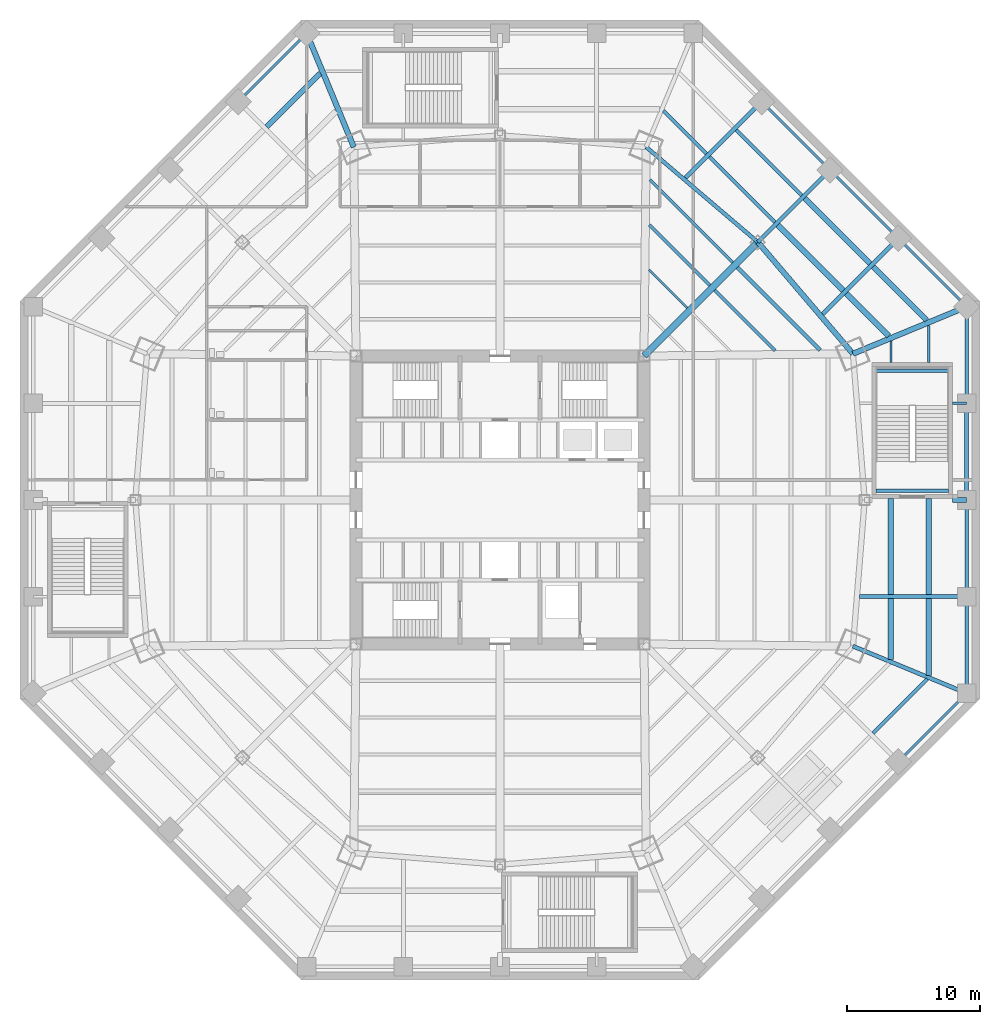
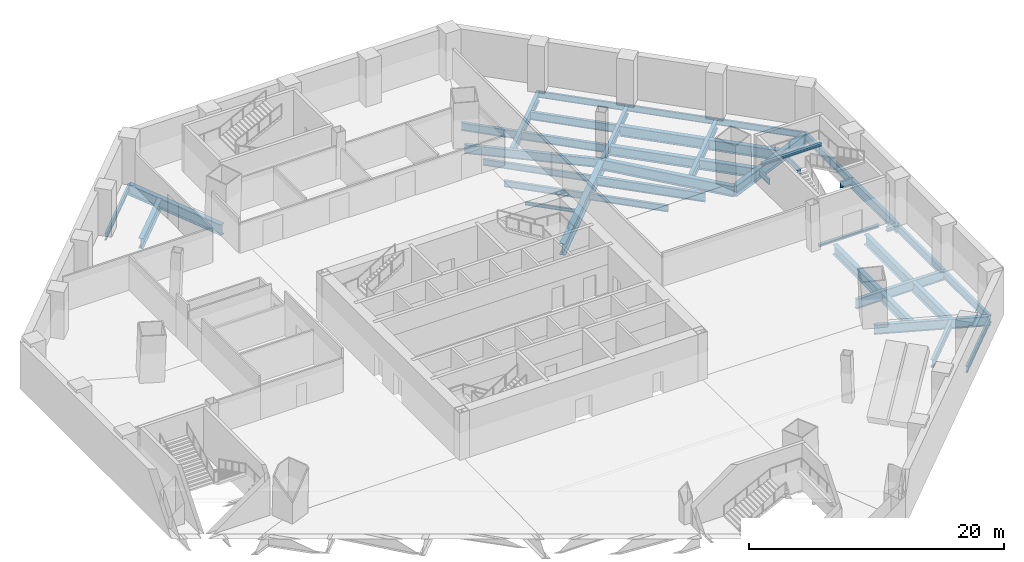
# One storey, part 5 of 15: 41 beams, 2 members.
"""IFC4 building model written with IfcOpenShell, lengths in metres."""

from ifc_helpers import new_model, si_unit, direction, frame, origin, origin_2d, place, context, subcontext, project, spatial, i_section, extrude, source, transform, mapped, material, material_profile, profile_set, type_object, type_shapes, element, save


model = new_model("IFC4")

# Units and contexts
model_context = context("Model", 3, precision=1e-05, world=origin(), true_north=direction((0.0, 1.0)))
body_context = subcontext(model_context, "Body", "Model", "MODEL_VIEW")
ifc_project = project(units=[si_unit("LENGTHUNIT", "METRE"), si_unit("AREAUNIT", "SQUARE_METRE"), si_unit("VOLUMEUNIT", "CUBIC_METRE"), si_unit("PLANEANGLEUNIT", "RADIAN"), si_unit("MASSUNIT", "GRAM", prefix="KILO")], contexts=[model_context])

# Site, building, storey
site_placement = place(None, origin())
site = spatial("IfcSite", under=ifc_project, at=site_placement, CompositionType="ELEMENT")
building_placement = place(site_placement, origin())
building = spatial("IfcBuilding", under=site, at=building_placement, Name="Mashrafa Tower", CompositionType="ELEMENT")
storey_placement = place(building_placement, frame((0.0, 0.0, -4.5)))
storey = spatial("IfcBuildingStorey", under=building, at=storey_placement, Name="B1", CompositionType="ELEMENT", Elevation=-4.5)

# Beams
ifc_material_1 = material(Name="Steel ASTM A572 Gr 50", Category="steel")
ifc_material_profile_1 = material_profile(ifc_material_1, i_section(OverallWidth=0.5, OverallDepth=1.10009765625, WebThickness=0.02490234375, FlangeThickness=0.050048828125, at=origin_2d()), Name="H1100X500X25X50")
ifc_profile_set_1 = profile_set([ifc_material_profile_1], Name="Steel ASTM A572 Gr 50")
beam_type_1 = type_object("IfcBeamType", Name="Beam H1100X500X25X50", PredefinedType="BEAM", material=ifc_profile_set_1)
beam_1_placement = place(storey_placement, frame((10.800048828125, 10.800048828125, -0.85009765625), z_axis=(0.707106781187, 0.707106781187, 0.0), x_axis=(-0.707106781187, 0.707106781187, 0.0)))
element("IfcBeam", 1, at=beam_1_placement, inside=storey, type_object=beam_type_1, Name="Radial girder B1 207", PredefinedType="BEAM", context=body_context, shape_type="SweptSolid", body=[
    extrude(i_section(OverallWidth=0.5, OverallDepth=1.10009765625, WebThickness=0.02490234375, FlangeThickness=0.050048828125, at=origin_2d()), origin(), (0.0, 0.0, 1.0), 12.07666015625),
])
ifc_material_2 = material(Name="Steel ASTM A992", Category="steel")
ifc_material_profile_2 = material_profile(ifc_material_2, i_section(OverallWidth=0.164794921875, OverallDepth=0.309814453125, WebThickness=0.005859375, FlangeThickness=0.009765625, FilletRadius=0.007568359375, at=origin_2d()), Name="W12X26")
ifc_profile_set_2 = profile_set([ifc_material_profile_2], Name="Steel ASTM A992")
beam_type_2 = type_object("IfcBeamType", Name="Beam W12X26", PredefinedType="BEAM", material=ifc_profile_set_2)
beam_2_placement = place(storey_placement, frame((11.168212890625, 17.263671875, -0.454833984375), z_axis=(0.707076715205, -0.707136845889, 0.0), x_axis=(0.707136845889, 0.707076715205, 0.0)))
element("IfcBeam", 2, at=beam_2_placement, inside=storey, type_object=beam_type_2, Name="Floor beam B1 063", PredefinedType="BEAM", context=body_context, shape_type="SweptSolid", body=[
    extrude(i_section(OverallWidth=0.164794921875, OverallDepth=0.309814453125, WebThickness=0.005859375, FlangeThickness=0.009765625, FilletRadius=0.007568359375, at=origin_2d()), origin(), (0.0, 0.0, 1.0), 4.06005859375),
])
ifc_material_3 = material(Name="Steel ASTM A992", Category="steel")
ifc_material_profile_3 = material_profile(ifc_material_3, i_section(OverallWidth=0.1650390625, OverallDepth=0.52587890625, WebThickness=0.0087890625, FlangeThickness=0.011474609375, FilletRadius=0.0126953125, at=origin_2d()), Name="W21X44")
ifc_profile_set_3 = profile_set([ifc_material_profile_3], Name="Steel ASTM A992")
beam_type_3 = type_object("IfcBeamType", Name="Beam W21X44", PredefinedType="BEAM", material=ifc_profile_set_3)
beam_3_placement = place(storey_placement, frame((29.31494140625, 11.92138671875, -0.56298828125), z_axis=(0.0, -1.0, 0.0), x_axis=(1.0, 0.0, 0.0)))
element("IfcBeam", 3, at=beam_3_placement, inside=storey, type_object=beam_type_3, Name="Floor beam B1 101", PredefinedType="BEAM", context=body_context, shape_type="SweptSolid", body=[
    extrude(i_section(OverallWidth=0.1650390625, OverallDepth=0.52587890625, WebThickness=0.0087890625, FlangeThickness=0.011474609375, FilletRadius=0.0126953125, at=origin_2d()), origin(), (0.0, 0.0, 1.0), 1.621337890625),
])
beam_4_placement = place(storey_placement, frame((32.157470703125, 13.098876953125, -0.56298828125), z_axis=(0.0, -1.0, 0.0), x_axis=(1.0, 0.0, 0.0)))
element("IfcBeam", 4, at=beam_4_placement, inside=storey, type_object=beam_type_3, Name="Floor beam B1 104", PredefinedType="BEAM", context=body_context, shape_type="SweptSolid", body=[
    extrude(i_section(OverallWidth=0.1650390625, OverallDepth=0.52587890625, WebThickness=0.0087890625, FlangeThickness=0.011474609375, FilletRadius=0.0126953125, at=origin_2d()), origin(), (0.0, 0.0, 1.0), 2.798828125),
])
ifc_material_4 = material(Name="Steel ASTM A992", Category="steel")
ifc_material_profile_4 = material_profile(ifc_material_4, i_section(OverallWidth=0.177978515625, OverallDepth=0.599365234375, WebThickness=0.010009765625, FlangeThickness=0.012939453125, FilletRadius=0.012939453125, at=origin_2d()), Name="W24X55")
ifc_profile_set_4 = profile_set([ifc_material_profile_4], Name="Steel ASTM A992")
beam_type_4 = type_object("IfcBeamType", Name="Beam W24X55", PredefinedType="BEAM", material=ifc_profile_set_4)
beam_5_placement = place(storey_placement, frame((-14.49755859375, 35.0, -0.599609375), z_axis=(-0.707106781187, -0.707106781187, 0.0), x_axis=(0.707106781187, -0.707106781187, 0.0)))
element("IfcBeam", 5, at=beam_5_placement, inside=storey, type_object=beam_type_4, Name="Podium edge beam B1 117", PredefinedType="BEAM", context=body_context, shape_type="SweptSolid", body=[
    extrude(i_section(OverallWidth=0.177978515625, OverallDepth=0.599365234375, WebThickness=0.010009765625, FlangeThickness=0.012939453125, FilletRadius=0.012939453125, at=origin_2d()), origin(), (0.0, 0.0, 1.0), 7.24853515625),
])
beam_6_placement = place(storey_placement, frame((24.748779296875, 24.748779296875, -0.599609375), z_axis=(-0.707106781187, 0.707106781187, 0.0), x_axis=(-0.707106781187, -0.707106781187, 0.0)))
element("IfcBeam", 6, at=beam_6_placement, inside=storey, type_object=beam_type_4, Name="Podium edge beam B1 129", PredefinedType="BEAM", context=body_context, shape_type="SweptSolid", body=[
    extrude(i_section(OverallWidth=0.177978515625, OverallDepth=0.599365234375, WebThickness=0.010009765625, FlangeThickness=0.012939453125, FilletRadius=0.012939453125, at=origin_2d()), origin(), (0.0, 0.0, 1.0), 7.248779296875),
])
beam_7_placement = place(storey_placement, frame((29.87451171875, -19.623046875, -0.599609375), z_axis=(0.707106781187, 0.707106781187, 0.0), x_axis=(-0.707106781187, 0.707106781187, 0.0)))
element("IfcBeam", 7, at=beam_7_placement, inside=storey, type_object=beam_type_4, Name="Podium edge beam B1 130", PredefinedType="BEAM", context=body_context, shape_type="SweptSolid", body=[
    extrude(i_section(OverallWidth=0.177978515625, OverallDepth=0.599365234375, WebThickness=0.010009765625, FlangeThickness=0.012939453125, FilletRadius=0.012939453125, at=origin_2d()), origin(), (0.0, 0.0, 1.0), 7.24853515625),
])
beam_8_placement = place(storey_placement, frame((29.87451171875, 19.623046875, -0.599609375), z_axis=(-0.707106781187, 0.707106781187, 0.0), x_axis=(-0.707106781187, -0.707106781187, 0.0)))
element("IfcBeam", 8, at=beam_8_placement, inside=storey, type_object=beam_type_4, Name="Podium edge beam B1 131", PredefinedType="BEAM", context=body_context, shape_type="SweptSolid", body=[
    extrude(i_section(OverallWidth=0.177978515625, OverallDepth=0.599365234375, WebThickness=0.010009765625, FlangeThickness=0.012939453125, FilletRadius=0.012939453125, at=origin_2d()), origin(), (0.0, 0.0, 1.0), 7.248779296875),
])
beam_9_placement = place(storey_placement, frame((35.0, 14.49755859375, -0.599609375), z_axis=(-0.707106781187, 0.707106781187, 0.0), x_axis=(-0.707106781187, -0.707106781187, 0.0)))
element("IfcBeam", 9, at=beam_9_placement, inside=storey, type_object=beam_type_4, Name="Podium edge beam B1 136", PredefinedType="BEAM", context=body_context, shape_type="SweptSolid", body=[
    extrude(i_section(OverallWidth=0.177978515625, OverallDepth=0.599365234375, WebThickness=0.010009765625, FlangeThickness=0.012939453125, FilletRadius=0.012939453125, at=origin_2d()), origin(), (0.0, 0.0, 1.0), 7.24853515625),
])
ifc_material_5 = material(Name="Steel ASTM A992", Category="steel")
ifc_material_profile_5 = material_profile(ifc_material_5, i_section(OverallWidth=0.227783203125, OverallDepth=0.60205078125, WebThickness=0.010498046875, FlangeThickness=0.014892578125, FilletRadius=0.012939453125, at=origin_2d()), Name="W24X68")
ifc_profile_set_5 = profile_set([ifc_material_profile_5], Name="Steel ASTM A992")
beam_type_5 = type_object("IfcBeamType", Name="Beam W24X68", PredefinedType="BEAM", material=ifc_profile_set_5)
beam_10_placement = place(storey_placement, frame((11.239501953125, 24.024169921875, -0.60107421875), z_axis=(0.707106781187, -0.707106781187, 0.0), x_axis=(0.707106781187, 0.707106781187, 0.0)))
element("IfcBeam", 10, at=beam_10_placement, inside=storey, type_object=beam_type_5, Name="Floor beam B1 067", PredefinedType="BEAM", context=body_context, shape_type="SweptSolid", body=[
    extrude(i_section(OverallWidth=0.227783203125, OverallDepth=0.60205078125, WebThickness=0.010498046875, FlangeThickness=0.014892578125, FilletRadius=0.012939453125, at=origin_2d()), origin(), (0.0, 0.0, 1.0), 8.7900390625),
])
ifc_material_6 = material(Name="Steel ASTM A992", Category="steel")
ifc_material_profile_6 = material_profile(ifc_material_6, i_section(OverallWidth=0.228271484375, OverallDepth=0.607177734375, WebThickness=0.01123046875, FlangeThickness=0.017333984375, FilletRadius=0.0126953125, at=origin_2d()), Name="W24X76")
ifc_profile_set_6 = profile_set([ifc_material_profile_6], Name="Steel ASTM A992")
beam_type_6 = type_object("IfcBeamType", Name="Beam W24X76", PredefinedType="BEAM", material=ifc_profile_set_6)
for number, where, z_axis, x_axis, name in (
    (11, (11.203857421875, 20.643798828125, -0.603515625), (0.707106781187, -0.707106781187, 0.0), (0.707106781187, 0.707106781187, 0.0), "Floor beam B1 065"),
    (12, (16.1005859375, 15.7470703125, -0.603515625), (0.707106781187, -0.707106781187, 0.0), (0.707106781187, 0.707106781187, 0.0), "Floor beam B1 081"),
):
    element("IfcBeam", number, at=place(storey_placement, frame(where, z_axis=z_axis, x_axis=x_axis)), inside=storey, type_object=beam_type_6, Name=name, PredefinedType="BEAM", context=body_context, shape_type="SweptSolid", body=[
        extrude(i_section(OverallWidth=0.228271484375, OverallDepth=0.607177734375, WebThickness=0.01123046875, FlangeThickness=0.017333984375, FilletRadius=0.0126953125, at=origin_2d()), origin(), (0.0, 0.0, 1.0), 6.425048828125),
    ])
ifc_material_7 = material(Name="Steel ASTM A992", Category="steel")
ifc_material_profile_7 = material_profile(ifc_material_7, i_section(OverallWidth=0.2666015625, OverallDepth=0.75439453125, WebThickness=0.01318359375, FlangeThickness=0.01708984375, FilletRadius=0.0166015625, at=origin_2d()), Name="W30X99")
ifc_profile_set_7 = profile_set([ifc_material_profile_7], Name="Steel ASTM A992")
beam_type_7 = type_object("IfcBeamType", Name="Beam W30X99", PredefinedType="BEAM", material=ifc_profile_set_7)
beam_11_placement = place(storey_placement, frame((12.26025390625, 29.197265625, -0.67724609375), z_axis=(0.707106781187, -0.707106781187, 0.0), x_axis=(0.707106781187, 0.707106781187, 0.0)))
element("IfcBeam", 13, at=beam_11_placement, inside=storey, type_object=beam_type_7, Name="Floor beam B1 070 part 1", PredefinedType="BEAM", context=body_context, shape_type="SweptSolid", body=[
    extrude(i_section(OverallWidth=0.2666015625, OverallDepth=0.75439453125, WebThickness=0.01318359375, FlangeThickness=0.01708984375, FilletRadius=0.0166015625, at=origin_2d()), origin(), (0.0, 0.0, 1.0), 4.57373046875),
])
beam_12_placement = place(storey_placement, frame((15.7119140625, 25.74560546875, -0.67724609375), z_axis=(0.707106781187, -0.707106781187, 0.0), x_axis=(0.707106781187, 0.707106781187, 0.0)))
element("IfcBeam", 14, at=beam_12_placement, inside=storey, type_object=beam_type_7, Name="Floor beam B1 070 part 2", PredefinedType="BEAM", context=body_context, shape_type="SweptSolid", body=[
    extrude(i_section(OverallWidth=0.2666015625, OverallDepth=0.75439453125, WebThickness=0.01318359375, FlangeThickness=0.01708984375, FilletRadius=0.0166015625, at=origin_2d()), origin(), (0.0, 0.0, 1.0), 6.94873046875),
])
beam_13_placement = place(storey_placement, frame((17.7216796875, 27.755615234375, -0.67724609375), z_axis=(0.707124347529, -0.707089214407, 0.0), x_axis=(0.707089214407, 0.707124347529, 0.0)))
element("IfcBeam", 15, at=beam_13_placement, inside=storey, type_object=beam_type_7, Name="Floor beam B1 074 part 2", PredefinedType="BEAM", context=body_context, shape_type="SweptSolid", body=[
    extrude(i_section(OverallWidth=0.2666015625, OverallDepth=0.75439453125, WebThickness=0.01318359375, FlangeThickness=0.01708984375, FilletRadius=0.0166015625, at=origin_2d()), origin(), (0.0, 0.0, 1.0), 6.948974609375),
])
beam_14_placement = place(storey_placement, frame((32.039794921875, -13.437744140625, -0.67724609375), z_axis=(-0.707106781187, -0.707106781187, 0.0), x_axis=(0.707106781187, -0.707106781187, 0.0)))
element("IfcBeam", 16, at=beam_14_placement, inside=storey, type_object=beam_type_7, Name="Floor beam B1 102 part 1", PredefinedType="BEAM", context=body_context, shape_type="SweptSolid", body=[
    extrude(i_section(OverallWidth=0.2666015625, OverallDepth=0.75439453125, WebThickness=0.01318359375, FlangeThickness=0.01708984375, FilletRadius=0.0166015625, at=origin_2d()), origin(), (0.0, 0.0, 1.0), 5.751220703125),
])
for number, where, z_axis, x_axis, name in (
    (17, (35.0, -14.49755859375, -0.67724609375), (0.0, 1.0, 0.0), (-1.0, 0.0, 0.0), "Podium edge beam B1 132"),
    (18, (35.0, -7.248779296875, -0.67724609375), (0.0, 1.0, 0.0), (-1.0, 0.0, 0.0), "Podium edge beam B1 133"),
    (19, (35.0, 7.248779296875, -0.67724609375), (0.0, 1.0, 0.0), (-1.0, 0.0, 0.0), "Podium edge beam B1 135"),
):
    element("IfcBeam", number, at=place(storey_placement, frame(where, z_axis=z_axis, x_axis=x_axis)), inside=storey, type_object=beam_type_7, Name=name, PredefinedType="BEAM", context=body_context, shape_type="SweptSolid", body=[
        extrude(i_section(OverallWidth=0.2666015625, OverallDepth=0.75439453125, WebThickness=0.01318359375, FlangeThickness=0.01708984375, FilletRadius=0.0166015625, at=origin_2d()), origin(), (0.0, 0.0, 1.0), 7.248779296875),
    ])
ifc_material_8 = material(Name="Steel ASTM A992", Category="steel")
ifc_material_profile_8 = material_profile(ifc_material_8, i_section(OverallWidth=0.2919921875, OverallDepth=0.8408203125, WebThickness=0.0146484375, FlangeThickness=0.021728515625, FilletRadius=0.017333984375, at=origin_2d()), Name="W33X130")
ifc_profile_set_8 = profile_set([ifc_material_profile_8], Name="Steel ASTM A992")
beam_type_8 = type_object("IfcBeamType", Name="Beam W33X130", PredefinedType="BEAM", material=ifc_profile_set_8)
beam_15_placement = place(storey_placement, frame((19.339599609375, 19.339599609375, -0.720458984375), z_axis=(-0.76128948608, 0.648412151633, 0.0), x_axis=(-0.648412151633, -0.76128948608, 0.0)))
element("IfcBeam", 20, at=beam_15_placement, inside=storey, type_object=beam_type_8, Name="Podium ring girder B1 189", PredefinedType="BEAM", context=body_context, shape_type="SweptSolid", body=[
    extrude(i_section(OverallWidth=0.2919921875, OverallDepth=0.8408203125, WebThickness=0.0146484375, FlangeThickness=0.021728515625, FilletRadius=0.017333984375, at=origin_2d()), origin(), (0.0, 0.0, 1.0), 11.00048828125),
])
ifc_material_9 = material(Name="Steel ASTM A992", Category="steel")
ifc_material_profile_9 = material_profile(ifc_material_9, i_section(OverallWidth=0.2919921875, OverallDepth=0.845703125, WebThickness=0.015380859375, FlangeThickness=0.0244140625, FilletRadius=0.017333984375, at=origin_2d()), Name="W33X141")
ifc_profile_set_9 = profile_set([ifc_material_profile_9], Name="Steel ASTM A992")
beam_type_9 = type_object("IfcBeamType", Name="Beam W33X141", PredefinedType="BEAM", material=ifc_profile_set_9)
beam_16_placement = place(storey_placement, frame((17.80859375, 17.455078125, -0.722900390625), z_axis=(0.707106781187, -0.707106781187, 0.0), x_axis=(0.707106781187, 0.707106781187, 0.0)))
element("IfcBeam", 21, at=beam_16_placement, inside=storey, type_object=beam_type_9, Name="Floor beam B1 086", PredefinedType="BEAM", context=body_context, shape_type="SweptSolid", body=[
    extrude(i_section(OverallWidth=0.2919921875, OverallDepth=0.845703125, WebThickness=0.015380859375, FlangeThickness=0.0244140625, FilletRadius=0.017333984375, at=origin_2d()), origin(), (0.0, 0.0, 1.0), 8.7900390625),
])
ifc_material_10 = material(Name="Steel ASTM A992", Category="steel")
ifc_material_profile_10 = material_profile(ifc_material_10, i_section(OverallWidth=0.2919921875, OverallDepth=0.8583984375, WebThickness=0.01708984375, FlangeThickness=0.031005859375, FilletRadius=0.017822265625, at=origin_2d()), Name="W33X169")
ifc_profile_set_10 = profile_set([ifc_material_profile_10], Name="Steel ASTM A992")
beam_type_10 = type_object("IfcBeamType", Name="Beam W33X169", PredefinedType="BEAM", material=ifc_profile_set_10)
beam_17_placement = place(storey_placement, frame((19.339599609375, 19.339599609375, -0.729248046875), z_axis=(0.707106781187, 0.707106781187, 0.0), x_axis=(-0.707106781187, 0.707106781187, 0.0)))
element("IfcBeam", 22, at=beam_17_placement, inside=storey, type_object=beam_type_10, Name="Podium radial beam B1 167", PredefinedType="BEAM", context=body_context, shape_type="SweptSolid", body=[
    extrude(i_section(OverallWidth=0.2919921875, OverallDepth=0.8583984375, WebThickness=0.01708984375, FlangeThickness=0.031005859375, FilletRadius=0.017822265625, at=origin_2d()), origin(), (0.0, 0.0, 1.0), 7.649658203125),
])
ifc_material_11 = material(Name="Steel ASTM A992", Category="steel")
ifc_material_profile_11 = material_profile(ifc_material_11, i_section(OverallWidth=0.3046875, OverallDepth=0.911865234375, WebThickness=0.015869140625, FlangeThickness=0.02392578125, FilletRadius=0.01904296875, at=origin_2d()), Name="W36X150")
ifc_profile_set_11 = profile_set([ifc_material_profile_11], Name="Steel ASTM A992")
beam_type_11 = type_object("IfcBeamType", Name="Beam W36X150", PredefinedType="BEAM", material=ifc_profile_set_11)
beam_18_placement = place(storey_placement, frame((35.0, 0.0, -0.755859375), z_axis=(0.0, 1.0, 0.0), x_axis=(-1.0, 0.0, 0.0)))
element("IfcBeam", 23, at=beam_18_placement, inside=storey, type_object=beam_type_11, Name="Podium edge beam B1 134", PredefinedType="BEAM", context=body_context, shape_type="SweptSolid", body=[
    extrude(i_section(OverallWidth=0.3046875, OverallDepth=0.911865234375, WebThickness=0.015869140625, FlangeThickness=0.02392578125, FilletRadius=0.01904296875, at=origin_2d()), origin(), (0.0, 0.0, 1.0), 7.248779296875),
])
ifc_material_12 = material(Name="Steel ASTM A992", Category="steel")
ifc_material_profile_12 = material_profile(ifc_material_12, i_section(OverallWidth=0.307373046875, OverallDepth=0.927001953125, WebThickness=0.01953125, FlangeThickness=0.031982421875, FilletRadius=0.01904296875, at=origin_2d()), Name="W36X194")
ifc_profile_set_12 = profile_set([ifc_material_profile_12], Name="Steel ASTM A992")
beam_type_12 = type_object("IfcBeamType", Name="Beam W36X194", PredefinedType="BEAM", material=ifc_profile_set_12)
beam_19_placement = place(storey_placement, frame((13.9072265625, 24.158447265625, -0.763671875), z_axis=(0.707091679973, 0.707121882078, 0.0), x_axis=(-0.707121882078, 0.707091679973, 0.0)))
element("IfcBeam", 24, at=beam_19_placement, inside=storey, type_object=beam_type_12, Name="Podium radial beam B1 165", PredefinedType="BEAM", context=body_context, shape_type="SweptSolid", body=[
    extrude(i_section(OverallWidth=0.307373046875, OverallDepth=0.927001953125, WebThickness=0.01953125, FlangeThickness=0.031982421875, FilletRadius=0.01904296875, at=origin_2d()), origin(), (0.0, 0.0, 1.0), 8.08349609375),
])
beam_20_placement = place(storey_placement, frame((24.197265625, 13.94580078125, -0.763671875), z_axis=(0.707106781187, 0.707106781187, 0.0), x_axis=(-0.707106781187, 0.707106781187, 0.0)))
element("IfcBeam", 25, at=beam_20_placement, inside=storey, type_object=beam_type_12, Name="Podium radial beam B1 169", PredefinedType="BEAM", context=body_context, shape_type="SweptSolid", body=[
    extrude(i_section(OverallWidth=0.307373046875, OverallDepth=0.927001953125, WebThickness=0.01953125, FlangeThickness=0.031982421875, FilletRadius=0.01904296875, at=origin_2d()), origin(), (0.0, 0.0, 1.0), 8.02880859375),
])
beam_21_placement = place(storey_placement, frame((26.472412109375, -10.965087890625, -0.763671875), z_axis=(0.923870793506, -0.382704529509, 0.0), x_axis=(0.382704529509, 0.923870793506, 0.0)))
element("IfcBeam", 26, at=beam_21_placement, inside=storey, type_object=beam_type_12, Name="Podium radial beam B1 170", PredefinedType="BEAM", context=body_context, shape_type="SweptSolid", body=[
    extrude(i_section(OverallWidth=0.307373046875, OverallDepth=0.927001953125, WebThickness=0.01953125, FlangeThickness=0.031982421875, FilletRadius=0.01904296875, at=origin_2d()), origin(), (0.0, 0.0, 1.0), 9.230224609375),
])
beam_22_placement = place(storey_placement, frame((26.97119140625, -7.248779296875, -0.763671875), z_axis=(1.0, 0.0, 0.0), x_axis=(0.0, 1.0, 0.0)))
element("IfcBeam", 27, at=beam_22_placement, inside=storey, type_object=beam_type_12, Name="Podium radial beam B1 172", PredefinedType="BEAM", context=body_context, shape_type="SweptSolid", body=[
    extrude(i_section(OverallWidth=0.307373046875, OverallDepth=0.927001953125, WebThickness=0.01953125, FlangeThickness=0.031982421875, FilletRadius=0.01904296875, at=origin_2d()), origin(), (0.0, 0.0, 1.0), 8.02880859375),
])
ifc_material_13 = material(Name="Steel ASTM A992", Category="steel")
ifc_material_profile_13 = material_profile(ifc_material_13, i_section(OverallWidth=0.419189453125, OverallDepth=0.927001953125, WebThickness=0.019287109375, FlangeThickness=0.031982421875, FilletRadius=0.020263671875, at=origin_2d()), Name="W36X231")
ifc_profile_set_13 = profile_set([ifc_material_profile_13], Name="Steel ASTM A992")
beam_type_13 = type_object("IfcBeamType", Name="Beam W36X231", PredefinedType="BEAM", material=ifc_profile_set_13)
beam_23_placement = place(storey_placement, frame((20.83203125, 20.62548828125, -0.763671875), z_axis=(0.707106781187, -0.707106781187, 0.0), x_axis=(0.707106781187, 0.707106781187, 0.0)))
element("IfcBeam", 28, at=beam_23_placement, inside=storey, type_object=beam_type_13, Name="Floor beam B1 090 part 1", PredefinedType="BEAM", context=body_context, shape_type="SweptSolid", body=[
    extrude(i_section(OverallWidth=0.419189453125, OverallDepth=0.927001953125, WebThickness=0.019287109375, FlangeThickness=0.031982421875, FilletRadius=0.020263671875, at=origin_2d()), origin(), (0.0, 0.0, 1.0), 6.94873046875),
])
beam_24_placement = place(storey_placement, frame((25.963134765625, 15.494384765625, -0.763671875), z_axis=(0.707106781187, -0.707106781187, 0.0), x_axis=(0.707106781187, 0.707106781187, 0.0)))
element("IfcBeam", 29, at=beam_24_placement, inside=storey, type_object=beam_type_13, Name="Floor beam B1 090 part 2", PredefinedType="BEAM", context=body_context, shape_type="SweptSolid", body=[
    extrude(i_section(OverallWidth=0.419189453125, OverallDepth=0.927001953125, WebThickness=0.019287109375, FlangeThickness=0.031982421875, FilletRadius=0.020263671875, at=origin_2d()), origin(), (0.0, 0.0, 1.0), 4.518798828125),
])
beam_25_placement = place(storey_placement, frame((29.31494140625, 0.10009765625, -0.763671875), z_axis=(0.0, -1.0, 0.0), x_axis=(1.0, 0.0, 0.0)))
element("IfcBeam", 30, at=beam_25_placement, inside=storey, type_object=beam_type_13, Name="Floor beam B1 100 part 1", PredefinedType="BEAM", context=body_context, shape_type="SweptSolid", body=[
    extrude(i_section(OverallWidth=0.419189453125, OverallDepth=0.927001953125, WebThickness=0.019287109375, FlangeThickness=0.031982421875, FilletRadius=0.020263671875, at=origin_2d()), origin(), (0.0, 0.0, 1.0), 7.195068359375),
])
beam_26_placement = place(storey_placement, frame((29.31494140625, -7.40234375, -0.763671875), z_axis=(0.0, -1.0, 0.0), x_axis=(1.0, 0.0, 0.0)))
element("IfcBeam", 31, at=beam_26_placement, inside=storey, type_object=beam_type_13, Name="Floor beam B1 100 part 2", PredefinedType="BEAM", context=body_context, shape_type="SweptSolid", body=[
    extrude(i_section(OverallWidth=0.419189453125, OverallDepth=0.927001953125, WebThickness=0.019287109375, FlangeThickness=0.031982421875, FilletRadius=0.020263671875, at=origin_2d()), origin(), (0.0, 0.0, 1.0), 4.573974609375),
])
ifc_material_14 = material(Name="Steel ASTM A992", Category="steel")
ifc_material_profile_14 = material_profile(ifc_material_14, i_section(OverallWidth=0.4013671875, OverallDepth=0.98291015625, WebThickness=0.0166015625, FlangeThickness=0.027099609375, FilletRadius=0.0126953125, at=origin_2d()), Name="W40X199")
ifc_profile_set_14 = profile_set([ifc_material_profile_14], Name="Steel ASTM A992")
beam_type_14 = type_object("IfcBeamType", Name="Beam W40X199", PredefinedType="BEAM", material=ifc_profile_set_14)
beam_27_placement = place(storey_placement, frame((-17.50439453125, 27.97314453125, -0.79150390625), z_axis=(0.707106781187, 0.707106781187, 0.0), x_axis=(-0.707106781187, 0.707106781187, 0.0)))
element("IfcBeam", 32, at=beam_27_placement, inside=storey, type_object=beam_type_14, Name="Floor beam B1 011 part 2", PredefinedType="BEAM", context=body_context, shape_type="SweptSolid", body=[
    extrude(i_section(OverallWidth=0.4013671875, OverallDepth=0.98291015625, WebThickness=0.0166015625, FlangeThickness=0.027099609375, FilletRadius=0.0126953125, at=origin_2d()), origin(), (0.0, 0.0, 1.0), 5.6962890625),
])
beam_28_placement = place(storey_placement, frame((22.842041015625, 22.635498046875, -0.79150390625), z_axis=(0.707089214407, -0.707124347529, 0.0), x_axis=(0.707124347529, 0.707089214407, 0.0)))
element("IfcBeam", 33, at=beam_28_placement, inside=storey, type_object=beam_type_14, Name="Floor beam B1 095 part 1", PredefinedType="BEAM", context=body_context, shape_type="SweptSolid", body=[
    extrude(i_section(OverallWidth=0.4013671875, OverallDepth=0.98291015625, WebThickness=0.0166015625, FlangeThickness=0.027099609375, FilletRadius=0.0126953125, at=origin_2d()), origin(), (0.0, 0.0, 1.0), 6.948974609375),
])
beam_29_placement = place(storey_placement, frame((27.97314453125, 17.50439453125, -0.79150390625), z_axis=(0.707106781187, -0.707106781187, 0.0), x_axis=(0.707106781187, 0.707106781187, 0.0)))
element("IfcBeam", 34, at=beam_29_placement, inside=storey, type_object=beam_type_14, Name="Floor beam B1 095 part 2", PredefinedType="BEAM", context=body_context, shape_type="SweptSolid", body=[
    extrude(i_section(OverallWidth=0.4013671875, OverallDepth=0.98291015625, WebThickness=0.0166015625, FlangeThickness=0.027099609375, FilletRadius=0.0126953125, at=origin_2d()), origin(), (0.0, 0.0, 1.0), 5.6962890625),
])
beam_30_placement = place(storey_placement, frame((32.157470703125, 0.10009765625, -0.79150390625), z_axis=(0.0, -1.0, 0.0), x_axis=(1.0, 0.0, 0.0)))
element("IfcBeam", 35, at=beam_30_placement, inside=storey, type_object=beam_type_14, Name="Floor beam B1 103 part 1", PredefinedType="BEAM", context=body_context, shape_type="SweptSolid", body=[
    extrude(i_section(OverallWidth=0.4013671875, OverallDepth=0.98291015625, WebThickness=0.0166015625, FlangeThickness=0.027099609375, FilletRadius=0.0126953125, at=origin_2d()), origin(), (0.0, 0.0, 1.0), 7.195068359375),
])
beam_31_placement = place(storey_placement, frame((32.157470703125, -7.40234375, -0.79150390625), z_axis=(0.0, -1.0, 0.0), x_axis=(1.0, 0.0, 0.0)))
element("IfcBeam", 36, at=beam_31_placement, inside=storey, type_object=beam_type_14, Name="Floor beam B1 103 part 2", PredefinedType="BEAM", context=body_context, shape_type="SweptSolid", body=[
    extrude(i_section(OverallWidth=0.4013671875, OverallDepth=0.98291015625, WebThickness=0.0166015625, FlangeThickness=0.027099609375, FilletRadius=0.0126953125, at=origin_2d()), origin(), (0.0, 0.0, 1.0), 5.75146484375),
])
ifc_material_15 = material(Name="Steel ASTM A992", Category="steel")
ifc_material_profile_15 = material_profile(ifc_material_15, i_section(OverallWidth=0.4013671875, OverallDepth=1.010986328125, WebThickness=0.023681640625, FlangeThickness=0.0419921875, FilletRadius=0.02001953125, at=origin_2d()), Name="W40X297")
ifc_profile_set_15 = profile_set([ifc_material_profile_15], Name="Steel ASTM A992")
beam_type_15 = type_object("IfcBeamType", Name="Beam W40X297", PredefinedType="BEAM", material=ifc_profile_set_15)
beam_32_placement = place(storey_placement, frame((26.472412109375, 10.965087890625, -0.805419921875), z_axis=(-0.648412151633, 0.76128948608, 0.0), x_axis=(-0.76128948608, -0.648412151633, 0.0)))
element("IfcBeam", 37, at=beam_32_placement, inside=storey, type_object=beam_type_15, Name="Podium ring girder B1 191", PredefinedType="BEAM", context=body_context, shape_type="SweptSolid", body=[
    extrude(i_section(OverallWidth=0.4013671875, OverallDepth=1.010986328125, WebThickness=0.023681640625, FlangeThickness=0.0419921875, FilletRadius=0.02001953125, at=origin_2d()), origin(), (0.0, 0.0, 1.0), 11.00048828125),
])
ifc_material_16 = material(Name="Steel ASTM A992", Category="steel")
ifc_material_profile_16 = material_profile(ifc_material_16, i_section(OverallWidth=0.408935546875, OverallDepth=1.04150390625, WebThickness=0.031005859375, FlangeThickness=0.055908203125, FilletRadius=0.020263671875, at=origin_2d()), Name="W40X397")
ifc_profile_set_16 = profile_set([ifc_material_profile_16], Name="Steel ASTM A992")
beam_type_16 = type_object("IfcBeamType", Name="Beam W40X397", PredefinedType="BEAM", material=ifc_profile_set_16)
for number, where, z_axis, x_axis, name in (
    (38, (-10.965087890625, 26.472412109375, -0.82080078125), (-0.382704529509, 0.923870793506, 0.0), (-0.923870793506, -0.382704529509, 0.0), "Podium radial beam B1 151"),
    (39, (26.472412109375, 10.965087890625, -0.82080078125), (0.923870793506, 0.382704529509, 0.0), (-0.382704529509, 0.923870793506, 0.0), "Podium radial beam B1 171"),
):
    element("IfcBeam", number, at=place(storey_placement, frame(where, z_axis=z_axis, x_axis=x_axis)), inside=storey, type_object=beam_type_16, Name=name, PredefinedType="BEAM", context=body_context, shape_type="SweptSolid", body=[
        extrude(i_section(OverallWidth=0.408935546875, OverallDepth=1.04150390625, WebThickness=0.031005859375, FlangeThickness=0.055908203125, FilletRadius=0.020263671875, at=origin_2d()), origin(), (0.0, 0.0, 1.0), 9.230224609375),
    ])
ifc_material_17 = material(Name="Steel ASTM A992", Category="steel")
ifc_material_profile_17 = material_profile(ifc_material_17, i_section(OverallWidth=0.25390625, OverallDepth=0.25390625, WebThickness=0.008544921875, FlangeThickness=0.01416015625, FilletRadius=0.010009765625, at=origin_2d()), Name="W10X49")
ifc_profile_set_17 = profile_set([ifc_material_profile_17], Name="Steel ASTM A992")
beam_type_17 = type_object("IfcBeamType", Name="Hoistway beam W10X49", PredefinedType="BEAM", material=ifc_profile_set_17)
for number, where, z_axis, x_axis, name in (
    (40, (28.199951171875, 0.699951171875, -0.427001953125), (1.0, 0.0, 0.0), (0.0, 1.0, 0.0), "Stair P1 landing beam B1"),
    (41, (28.199951171875, 9.699951171875, 1.923095703125), (1.0, 0.0, 0.0), (0.0, 1.0, 0.0), "Stair P1 landing beam B1"),
):
    element("IfcBeam", number, at=place(storey_placement, frame(where, z_axis=z_axis, x_axis=x_axis)), inside=storey, type_object=beam_type_17, Name=name, PredefinedType="BEAM", context=body_context, shape_type="SweptSolid", body=[
        extrude(i_section(OverallWidth=0.25390625, OverallDepth=0.25390625, WebThickness=0.008544921875, FlangeThickness=0.01416015625, FilletRadius=0.010009765625, at=origin_2d()), origin(), (0.0, 0.0, 1.0), 5.449951171875),
    ])

# Members
ifc_material_18 = material(Name="Steel ASTM A992", Category="steel")
ifc_material_profile_18 = material_profile(ifc_material_18, i_section(OverallWidth=0.177978515625, OverallDepth=0.599365234375, WebThickness=0.010009765625, FlangeThickness=0.012939453125, FilletRadius=0.012939453125, at=origin_2d()), Name="W24X55")
ifc_profile_set_18 = profile_set([ifc_material_profile_18], Name="Steel ASTM A992")
member_type_1 = type_object("IfcMemberType", Name="Tie strut W24X55", PredefinedType="STRUT", material=ifc_profile_set_18)
shared_shape_1 = source(origin(), body_context, "Body", "SweptSolid", [
    extrude(i_section(OverallWidth=0.177978515625, OverallDepth=0.599365234375, WebThickness=0.010009765625, FlangeThickness=0.012939453125, FilletRadius=0.012939453125, at=origin_2d()), origin(), (0.0, 0.0, 1.0), 1.050048828125),
])
type_shapes(member_type_1, [shared_shape_1])
member_1_placement = place(storey_placement, frame((33.949951171875, 7.248779296875, -0.599609375), z_axis=(1.0, 0.0, 0.0), x_axis=(0.0, 1.0, 0.0)))
element("IfcMember", 42, at=member_1_placement, inside=storey, type_object=member_type_1, Name="Tie strut B1 176", PredefinedType="STRUT", context=body_context, shape_type="MappedRepresentation", body=[
    mapped(shared_shape_1, transform((0.0, 0.0, 0.0))),
])
ifc_material_19 = material(Name="Steel ASTM A992", Category="steel")
ifc_material_profile_19 = material_profile(ifc_material_19, i_section(OverallWidth=0.368408203125, OverallDepth=0.355712890625, WebThickness=0.01123046875, FlangeThickness=0.01806640625, FilletRadius=0.01513671875, at=origin_2d()), Name="W14X90")
ifc_profile_set_19 = profile_set([ifc_material_profile_19], Name="Steel ASTM A992")
member_type_2 = type_object("IfcMemberType", Name="Tie strut W14X90", PredefinedType="STRUT", material=ifc_profile_set_19)
shared_shape_2 = source(origin(), body_context, "Body", "SweptSolid", [
    extrude(i_section(OverallWidth=0.368408203125, OverallDepth=0.355712890625, WebThickness=0.01123046875, FlangeThickness=0.01806640625, FilletRadius=0.01513671875, at=origin_2d()), origin(), (0.0, 0.0, 1.0), 1.050048828125),
])
type_shapes(member_type_2, [shared_shape_2])
member_2_placement = place(storey_placement, frame((33.949951171875, 0.0, -0.477783203125), z_axis=(1.0, 0.0, 0.0), x_axis=(0.0, 1.0, 0.0)))
element("IfcMember", 43, at=member_2_placement, inside=storey, type_object=member_type_2, Name="Tie strut B1 175", PredefinedType="STRUT", context=body_context, shape_type="MappedRepresentation", body=[
    mapped(shared_shape_2, transform((0.0, 0.0, 0.0))),
])

save(model, "model.ifc")
